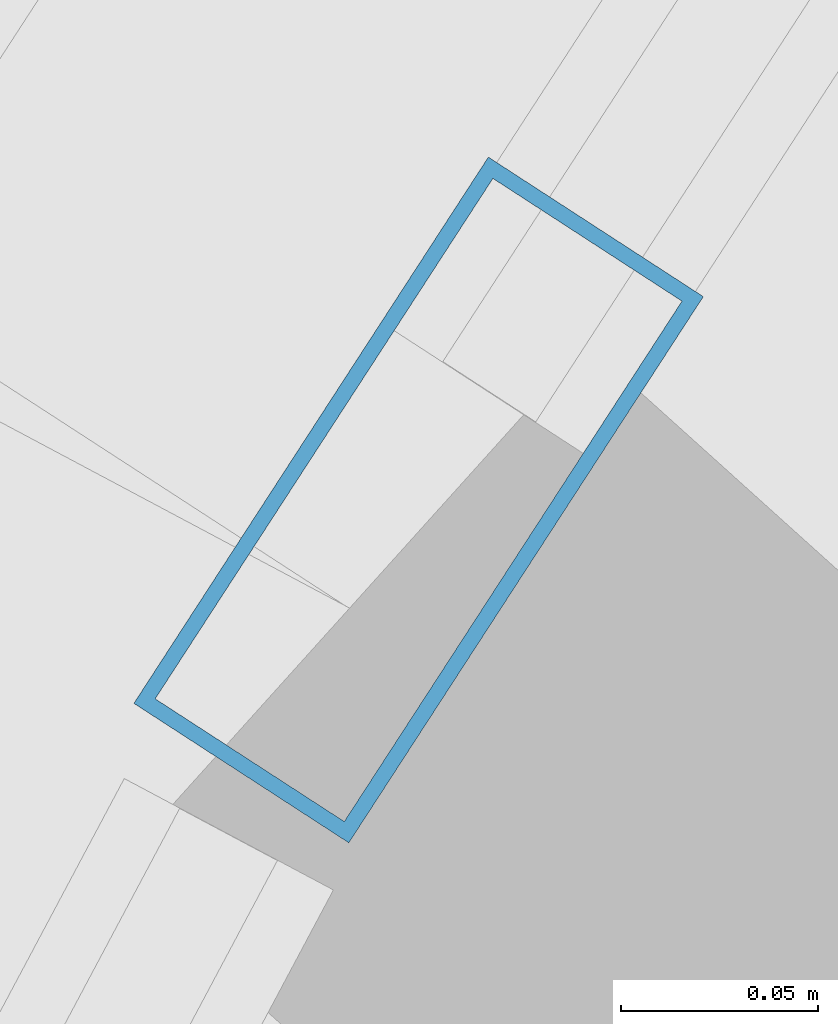
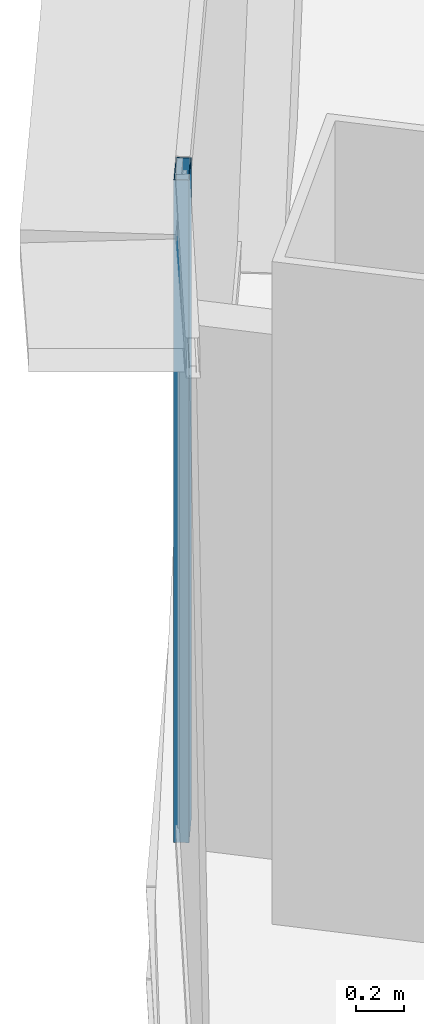
# One storey, part 16 of 40: 1 member, 1 element without a shape of its own.
"""IFC4 building model written with IfcOpenShell, lengths in metres."""

from ifc_helpers import new_model, si_unit, direction, frame, origin, origin_2d, place, context, subcontext, project, spatial, hollow_rectangle, extrude, source, transform, mapped, material, layer, layer_set, material_profile, profile_set, type_object, element, aggregate, save


model = new_model("IFC4")

# Units and contexts
model_context = context("Model", 3, precision=1e-05, world=origin(), true_north=direction((0.0, 1.0)))
body_context = subcontext(model_context, "Body", "Model", "MODEL_VIEW")
ifc_project = project(units=[si_unit("LENGTHUNIT", "METRE"), si_unit("AREAUNIT", "SQUARE_METRE"), si_unit("VOLUMEUNIT", "CUBIC_METRE"), si_unit("PLANEANGLEUNIT", "RADIAN"), si_unit("MASSUNIT", "GRAM", prefix="KILO"), si_unit("THERMODYNAMICTEMPERATUREUNIT", "KELVIN"), si_unit("POWERUNIT", "WATT")], contexts=[model_context])

# Site, building, storey
site_placement = place(None, origin())
site = spatial("IfcSite", under=ifc_project, at=site_placement, CompositionType="ELEMENT")
building_placement = place(site_placement, origin())
building = spatial("IfcBuilding", under=site, at=building_placement, Name="Yunzhuo Pagoda Commons", CompositionType="ELEMENT")
storey_placement = place(building_placement, frame((0.0, 0.0, 66.699951171875)))
storey = spatial("IfcBuildingStorey", under=building, at=storey_placement, Name="L17", CompositionType="ELEMENT", Elevation=66.699951171875)

# Curtain wall, member
ifc_material = material(Name="Anodized aluminium 6063-T6", Category="aluminium")
ifc_layer = layer(ifc_material, 0.1650390625)
ifc_layer_set = layer_set([ifc_layer], Name="Anodized aluminium 6063-T6")
curtain_wall_type = type_object("IfcCurtainWallType", Name="CW-LOW Low-Zone Ribbon Curtain Wall", PredefinedType="NOTDEFINED", material=ifc_layer_set)
curtain_wall_placement = place(storey_placement, origin())
curtain_wall = element("IfcCurtainWall", 1, at=curtain_wall_placement, inside=storey, type_object=curtain_wall_type, Name="L17 curtain wall CW-L17-F3B2", PredefinedType="NOTDEFINED")
ifc_material_profile = material_profile(ifc_material, hollow_rectangle(XDim=0.06494140625, YDim=0.1650390625, WallThickness=0.00390625, at=origin_2d()), Name="Anodized aluminium 6063-T6")
ifc_profile_set = profile_set([ifc_material_profile], Name="Anodized aluminium 6063-T6")
member_type = type_object("IfcMemberType", Name="CW-LOW-M Mullion RHS 165x65x4", PredefinedType="MULLION", material=ifc_profile_set)
shared_shape = source(origin(), body_context, "Body", "SweptSolid", [
    extrude(hollow_rectangle(XDim=0.06494140625, YDim=0.1650390625, WallThickness=0.00390625, at=origin_2d()), origin(), (0.0, 0.0, 1.0), 3.3701171875),
])
member_placement = place(storey_placement, frame((21.588623046875, 57.524169921875, 0.0), z_axis=(0.0, 0.0, 1.0), x_axis=(0.838840312647, -0.54437756188, 0.0)))
member = element("IfcMember", 2, at=member_placement, type_object=member_type, Name="CW mullion 2", PredefinedType="MULLION", context=body_context, shape_type="MappedRepresentation", body=[
    mapped(shared_shape, transform((0.0, 0.0, 0.0), scale=1.0)),
])
aggregate(curtain_wall, [member])

save(model, "model.ifc")
